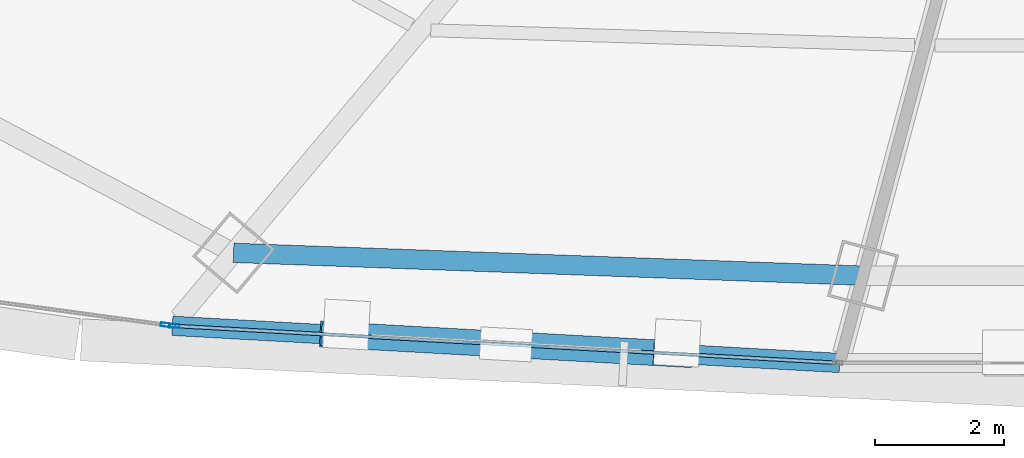
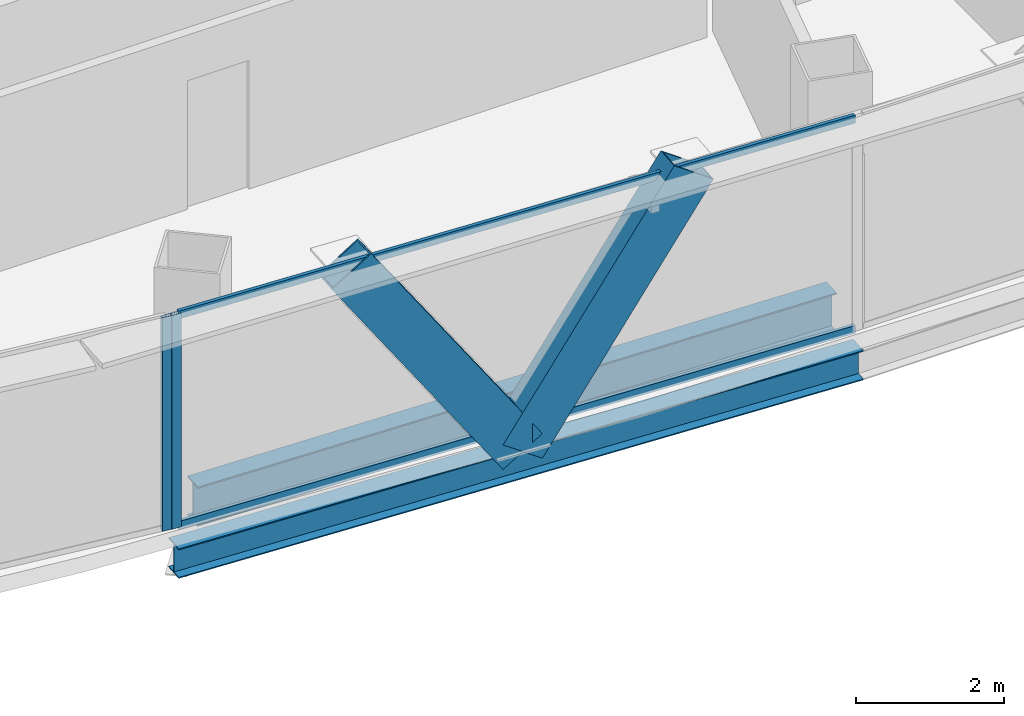
# One storey, part 6 of 36: 6 members, 2 beams, 2 elements without a shape of their own.
"""IFC4 building model written with IfcOpenShell, lengths in metres."""

from ifc_helpers import new_model, si_unit, direction, frame, origin, origin_2d, place, context, subcontext, project, spatial, hollow_rectangle, i_section, extrude, source, transform, mapped, material, layer, layer_set, material_profile, profile_set, type_object, element, aggregate, save


model = new_model("IFC4")

# Units and contexts
model_context = context("Model", 3, precision=1e-05, world=origin(), true_north=direction((0.0, 1.0)))
body_context = subcontext(model_context, "Body", "Model", "MODEL_VIEW")
ifc_project = project(units=[si_unit("LENGTHUNIT", "METRE"), si_unit("AREAUNIT", "SQUARE_METRE"), si_unit("VOLUMEUNIT", "CUBIC_METRE"), si_unit("PLANEANGLEUNIT", "RADIAN"), si_unit("MASSUNIT", "GRAM", prefix="KILO"), si_unit("THERMODYNAMICTEMPERATUREUNIT", "KELVIN"), si_unit("POWERUNIT", "WATT")], contexts=[model_context])

# Site, building, storey
site_placement = place(None, origin())
site = spatial("IfcSite", under=ifc_project, at=site_placement, CompositionType="ELEMENT")
building_placement = place(site_placement, origin())
building = spatial("IfcBuilding", under=site, at=building_placement, Name="Yunzhuo Pagoda Commons", CompositionType="ELEMENT")
storey_placement = place(building_placement, frame((0.0, 0.0, 215.159912109375)))
storey = spatial("IfcBuildingStorey", under=building, at=storey_placement, Name="L54", CompositionType="ELEMENT", Elevation=215.159912109375)

# Beams
ifc_material_1 = material(Name="Structural steel Q355B", Category="steel")
ifc_material_profile_1 = material_profile(ifc_material_1, i_section(OverallWidth=0.300048828125, OverallDepth=0.64990234375, WebThickness=0.012939453125, FlangeThickness=0.02197265625, at=origin_2d()), Name="Structural steel Q355B")
ifc_profile_set_1 = profile_set([ifc_material_profile_1], Name="Structural steel Q355B")
beam_type_1 = type_object("IfcBeamType", Name="B-RG2 Beam HN 650x300x13x22", PredefinedType="BEAM", material=ifc_profile_set_1)
shared_shape_1 = source(origin(), body_context, "Body", "SweptSolid", [
    extrude(i_section(OverallWidth=0.300048828125, OverallDepth=0.64990234375, WebThickness=0.012939453125, FlangeThickness=0.02197265625, at=origin_2d()), origin(), (0.0, 0.0, 1.0), 9.755126953125),
])
beam_1_placement = place(storey_placement, frame((33.538818359375, 16.4658203125, -0.5849609375), z_axis=(0.999343161351, -0.036238734258, 0.0), x_axis=(0.036238734258, 0.999343161351, 0.0)))
element("IfcBeam", 1, at=beam_1_placement, inside=storey, type_object=beam_type_1, Name="L54 column-ring beam 1", PredefinedType="BEAM", context=body_context, shape_type="MappedRepresentation", body=[
    mapped(shared_shape_1, transform((0.0, 0.0, 0.0), scale=1.0)),
])
ifc_material_profile_2 = material_profile(ifc_material_1, i_section(OverallWidth=0.300048828125, OverallDepth=0.488037109375, WebThickness=0.010986328125, FlangeThickness=0.01806640625, at=origin_2d()), Name="Structural steel Q355B")
ifc_profile_set_2 = profile_set([ifc_material_profile_2], Name="Structural steel Q355B")
beam_type_2 = type_object("IfcBeamType", Name="B-SP1 Beam HM 488x300x11x18", PredefinedType="BEAM", material=ifc_profile_set_2)
shared_shape_2 = source(origin(), body_context, "Body", "SweptSolid", [
    extrude(i_section(OverallWidth=0.300048828125, OverallDepth=0.488037109375, WebThickness=0.010986328125, FlangeThickness=0.01806640625, at=origin_2d()), origin(), (0.0, 0.0, 1.0), 10.349853515625),
])
beam_2_placement = place(storey_placement, frame((32.59130859375, 15.336181640625, -0.50390625), z_axis=(0.998451849463, -0.05562287573, 0.0), x_axis=(0.05562287573, 0.998451849463, 0.0)))
element("IfcBeam", 2, at=beam_2_placement, inside=storey, type_object=beam_type_2, Name="L54 facade edge spandrel beam F1.1", PredefinedType="BEAM", context=body_context, shape_type="MappedRepresentation", body=[
    mapped(shared_shape_2, transform((0.0, 0.0, 0.0), scale=1.0)),
])

# Members
ifc_material_profile_3 = material_profile(ifc_material_1, hollow_rectangle(XDim=0.39990234375, YDim=0.719970703125, WallThickness=0.02392578125, at=origin_2d()), Name="Structural steel Q355B")
ifc_profile_set_3 = profile_set([ifc_material_profile_3], Name="Structural steel Q355B")
member_type_1 = type_object("IfcMemberType", Name="M-DL2 Brace BOX 720x400x24", PredefinedType="BRACE", material=ifc_profile_set_3)
shared_shape_3 = source(origin(), body_context, "Body", "SweptSolid", [
    extrude(hollow_rectangle(XDim=0.39990234375, YDim=0.719970703125, WallThickness=0.02392578125, at=origin_2d()), origin(), (0.0, 0.0, 1.0), 4.58056640625),
])
member_1_placement = place(storey_placement, frame((37.758056640625, 15.04833984375, -0.260009765625), z_axis=(-0.563946004739, 0.031445812569, 0.825212739002), x_axis=(-0.055673841344, -0.998449008908, 0.0)))
element("IfcMember", 3, at=member_1_placement, inside=storey, type_object=member_type_1, Name="L54 facade diamond brace F1.1L", PredefinedType="BRACE", context=body_context, shape_type="MappedRepresentation", body=[
    mapped(shared_shape_3, transform((0.0, 0.0, 0.0), scale=1.0)),
])
shared_shape_4 = source(origin(), body_context, "Body", "SweptSolid", [
    extrude(hollow_rectangle(XDim=0.39990234375, YDim=0.719970703125, WallThickness=0.02392578125, at=origin_2d()), origin(), (0.0, 0.0, 1.0), 4.580810546875),
])
member_2_placement = place(storey_placement, frame((37.758056640625, 15.04833984375, -0.260009765625), z_axis=(0.563982350457, -0.031444867395, 0.825187935374), x_axis=(0.055668596465, 0.998449301351, 0.0)))
element("IfcMember", 4, at=member_2_placement, inside=storey, type_object=member_type_1, Name="L54 facade diamond brace F1.1R", PredefinedType="BRACE", context=body_context, shape_type="MappedRepresentation", body=[
    mapped(shared_shape_4, transform((0.0, 0.0, 0.0), scale=1.0)),
])

# Curtain wall, members
ifc_material_2 = material(Name="Anodized aluminium 6063-T6", Category="aluminium")
ifc_layer = layer(ifc_material_2, 0.14990234375)
ifc_layer_set = layer_set([ifc_layer], Name="Anodized aluminium 6063-T6")
curtain_wall_type = type_object("IfcCurtainWallType", Name="CW-MID Mid-Zone Ribbon Curtain Wall", PredefinedType="NOTDEFINED", material=ifc_layer_set)
curtain_wall_1_placement = place(storey_placement, origin())
curtain_wall_1 = element("IfcCurtainWall", 5, at=curtain_wall_1_placement, inside=storey, type_object=curtain_wall_type, Name="L54 curtain wall CW-L54-F1B2", PredefinedType="NOTDEFINED")
ifc_material_profile_4 = material_profile(ifc_material_2, hollow_rectangle(XDim=0.054931640625, YDim=0.1298828125, WallThickness=0.00341796875, at=origin_2d()), Name="Anodized aluminium 6063-T6")
ifc_profile_set_4 = profile_set([ifc_material_profile_4], Name="Anodized aluminium 6063-T6")
member_type_2 = type_object("IfcMemberType", Name="CW-MID-T Transom RHS 130x55x3.5", PredefinedType="USERDEFINED", material=ifc_profile_set_4)
shared_shape_5 = source(origin(), body_context, "Body", "SweptSolid", [
    extrude(hollow_rectangle(XDim=0.054931640625, YDim=0.1298828125, WallThickness=0.00341796875, at=origin_2d()), origin(), (0.0, 0.0, 1.0), 10.230224609375),
])
member_3_placement = place(storey_placement, frame((32.65087890625, 15.3330078125, 0.027587890625), z_axis=(0.998450203238, -0.055652418231, 0.0), x_axis=(0.055652418231, 0.998450203238, 0.0)))
member_3 = element("IfcMember", 6, at=member_3_placement, type_object=member_type_2, Name="CW transom 1.1", ObjectType="TRANSOM", PredefinedType="USERDEFINED", context=body_context, shape_type="MappedRepresentation", body=[
    mapped(shared_shape_5, transform((0.0, 0.0, 0.0), scale=1.0)),
])
member_4_placement = place(storey_placement, frame((32.65087890625, 15.3330078125, 3.49267578125), z_axis=(0.998450203238, -0.055652418231, 0.0), x_axis=(0.055652418231, 0.998450203238, 0.0)))
member_4 = element("IfcMember", 7, at=member_4_placement, type_object=member_type_2, Name="CW transom 1.2", ObjectType="TRANSOM", PredefinedType="USERDEFINED", context=body_context, shape_type="MappedRepresentation", body=[
    mapped(shared_shape_5, transform((0.0, 0.0, 0.0), scale=1.0)),
])
ifc_material_profile_5 = material_profile(ifc_material_2, hollow_rectangle(XDim=0.06005859375, YDim=0.14990234375, WallThickness=0.00390625, at=origin_2d()), Name="Anodized aluminium 6063-T6")
ifc_profile_set_5 = profile_set([ifc_material_profile_5], Name="Anodized aluminium 6063-T6")
member_type_3 = type_object("IfcMemberType", Name="CW-MID-M Mullion RHS 150x60x4", PredefinedType="MULLION", material=ifc_profile_set_5)
shared_shape_6 = source(origin(), body_context, "Body", "SweptSolid", [
    extrude(hollow_rectangle(XDim=0.06005859375, YDim=0.14990234375, WallThickness=0.00390625, at=origin_2d()), origin(), (0.0, 0.0, 1.0), 3.52001953125),
])
member_5_placement = place(storey_placement, frame((32.620849609375, 15.334716796875, 0.0), z_axis=(0.0, 0.0, 1.0), x_axis=(0.055641789149, 0.998450795633, 0.0)))
member_5 = element("IfcMember", 8, at=member_5_placement, type_object=member_type_3, Name="CW mullion 1", PredefinedType="MULLION", context=body_context, shape_type="MappedRepresentation", body=[
    mapped(shared_shape_6, transform((0.0, 0.0, 0.0), scale=1.0)),
])
aggregate(curtain_wall_1, [member_5, member_3, member_4])

# Curtain wall, member
curtain_wall_2_placement = place(storey_placement, origin())
curtain_wall_2 = element("IfcCurtainWall", 9, at=curtain_wall_2_placement, inside=storey, type_object=curtain_wall_type, Name="L54 curtain wall CW-L54-F1B1", PredefinedType="NOTDEFINED")
member_6_placement = place(storey_placement, frame((32.4873046875, 15.350341796875, 0.0), z_axis=(0.0, 0.0, 1.0), x_axis=(0.134839446061, 0.990867460252, 0.0)))
member_6 = element("IfcMember", 10, at=member_6_placement, type_object=member_type_3, Name="CW mullion 2", PredefinedType="MULLION", context=body_context, shape_type="MappedRepresentation", body=[
    mapped(shared_shape_6, transform((0.0, 0.0, 0.0), scale=1.0)),
])
aggregate(curtain_wall_2, [member_6])

save(model, "model.ifc")
